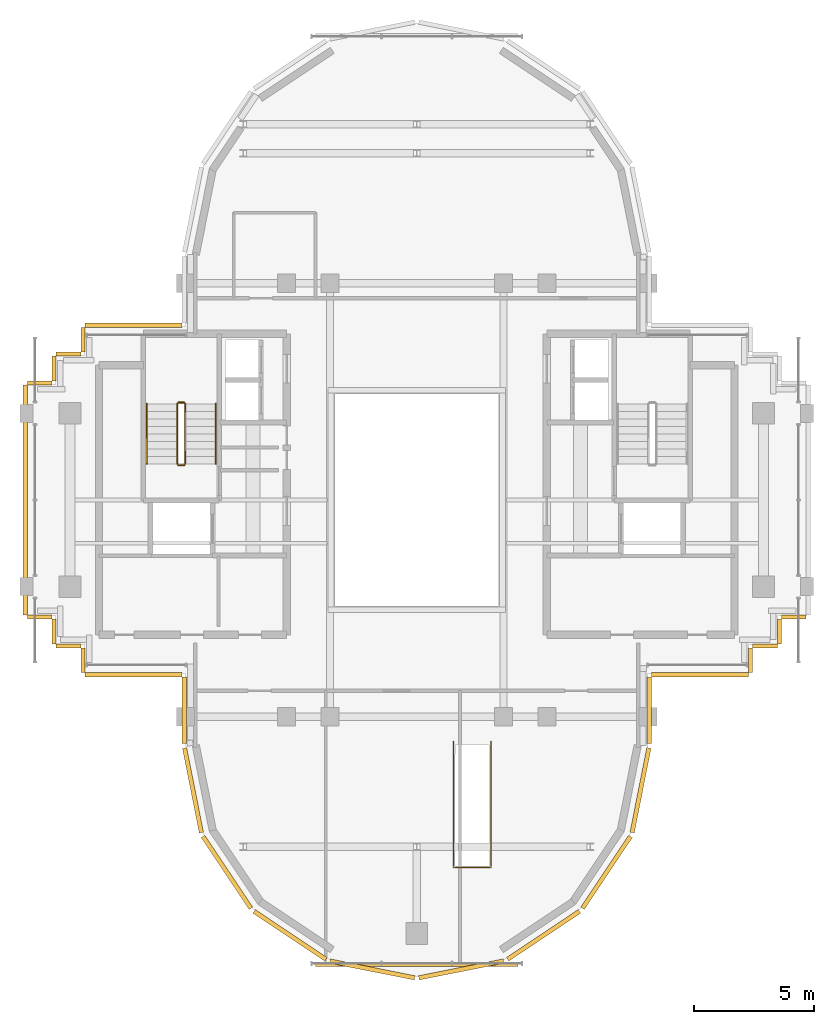
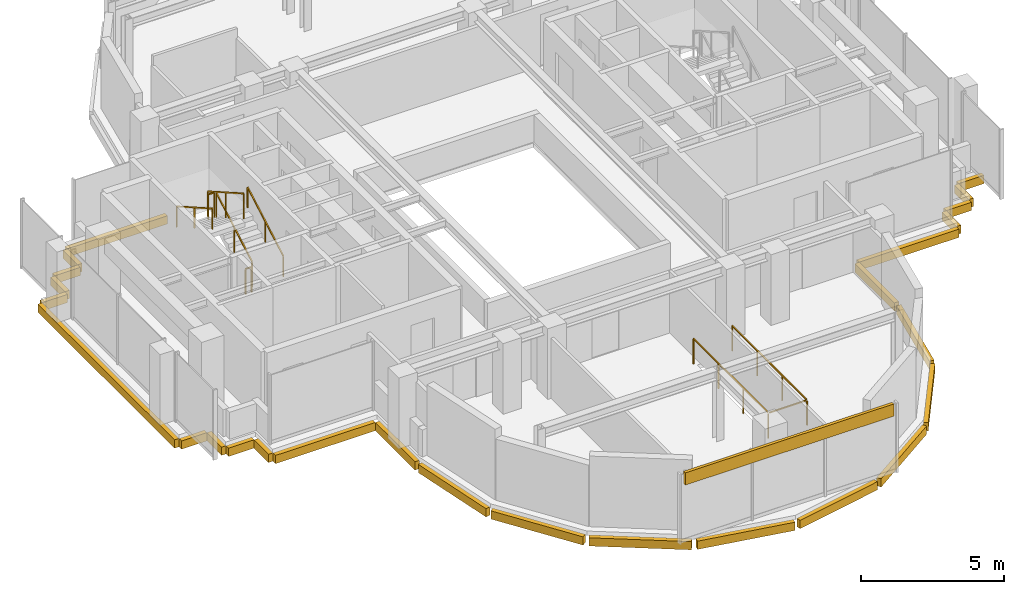
# One storey, part 10 of 11: 27 coverings, 7 railings.
"""IFC4 building model written with IfcOpenShell, lengths in metres."""

from ifc_helpers import new_model, si_unit, direction, frame, origin, origin_2d, place, context, subcontext, project, spatial, rectangle, extrude, source, transform, mapped, material, layer, layer_set, type_object, element, save


model = new_model("IFC4")

# Units and contexts
model_context = context("Model", 3, precision=1e-05, world=origin(), true_north=direction((0.0, 1.0)))
body_context = subcontext(model_context, "Body", "Model", "MODEL_VIEW")
ifc_project = project(units=[si_unit("LENGTHUNIT", "METRE"), si_unit("AREAUNIT", "SQUARE_METRE"), si_unit("VOLUMEUNIT", "CUBIC_METRE"), si_unit("PLANEANGLEUNIT", "RADIAN"), si_unit("MASSUNIT", "GRAM", prefix="KILO")], contexts=[model_context])

# Site, building, storey
site_placement = place(None, origin())
site = spatial("IfcSite", under=ifc_project, at=site_placement, CompositionType="ELEMENT")
building_placement = place(site_placement, origin())
building = spatial("IfcBuilding", under=site, at=building_placement, Name="Keilestroom Media Tower", CompositionType="ELEMENT")
storey_placement = place(building_placement, frame((0.0, 0.0, 255.60009765625)))
storey = spatial("IfcBuildingStorey", under=building, at=storey_placement, Name="L71", CompositionType="ELEMENT", Elevation=255.60009765625)

# Railings
ifc_material_1 = material(Name="Brushed Stainless Steel 1.4301", Category="steel")
railing_type_1 = type_object("IfcRailingType", Name="Stair-Pitch-Handrail-920", PredefinedType="HANDRAIL", material=ifc_material_1)
railing_1_placement = place(storey_placement, frame((-8.35009765625, 1.5, 0.177734375)))
element("IfcRailing", 1, at=railing_1_placement, inside=storey, type_object=railing_type_1, Name="L71 ST-1 stair handrail 1", PredefinedType="HANDRAIL", context=body_context, shape_type="SweptSolid", body=[
    extrude(rectangle(XDim=0.048095703125, YDim=0.048095703125, at=origin_2d()), frame((0.0, 0.0, 0.8759765625), z_axis=(0.0, 0.868875238982, 0.495031129408), x_axis=(-1.0, 0.0, 0.0)), (0.0, 0.0, 1.0), 2.872802734375),
    extrude(rectangle(XDim=0.0419921875, YDim=0.0419921875, at=origin_2d()), origin(), (0.0, 0.0, 1.0), 0.84375),
    extrude(rectangle(XDim=0.0419921875, YDim=0.0419921875, at=origin_2d()), frame((0.0, 1.248046875, 0.7109375)), (0.0, 0.0, 1.0), 0.84375),
    extrude(rectangle(XDim=0.0419921875, YDim=0.0419921875, at=origin_2d()), frame((0.0, 2.49609375, 1.422119140625)), (0.0, 0.0, 1.0), 0.84375),
])
railing_2_placement = place(storey_placement, frame((-11.2099609375, 3.99609375, 1.777587890625)))
element("IfcRailing", 2, at=railing_2_placement, inside=storey, type_object=railing_type_1, Name="L71 ST-1 stair handrail 2", PredefinedType="HANDRAIL", context=body_context, shape_type="SweptSolid", body=[
    extrude(rectangle(XDim=0.048095703125, YDim=0.048095703125, at=origin_2d()), frame((0.0, 0.0, 0.8759765625), z_axis=(0.0, -0.868838684858, 0.495095283449), x_axis=(1.0, 0.0, 0.0)), (0.0, 0.0, 1.0), 2.872802734375),
    extrude(rectangle(XDim=0.0419921875, YDim=0.0419921875, at=origin_2d()), origin(), (0.0, 0.0, 1.0), 0.84375),
    extrude(rectangle(XDim=0.0419921875, YDim=0.0419921875, at=origin_2d()), frame((0.0, -1.248046875, 0.711181640625)), (0.0, 0.0, 1.0), 0.84375),
    extrude(rectangle(XDim=0.0419921875, YDim=0.0419921875, at=origin_2d()), frame((0.0, -2.49609375, 1.42236328125)), (0.0, 0.0, 1.0), 0.84375),
])
ifc_material_2 = material(Name="Painted Steel Balustrade", Category="steel")
railing_type_2 = type_object("IfcRailingType", Name="Stair-Well-And-Landing-Guard-1100", PredefinedType="GUARDRAIL", material=ifc_material_2)
railing_3_placement = place(storey_placement, frame((-9.610107421875, 1.5, 0.177734375)))
element("IfcRailing", 3, at=railing_3_placement, inside=storey, type_object=railing_type_2, Name="L71 ST-1 stair guard 1", PredefinedType="GUARDRAIL", context=body_context, shape_type="SweptSolid", body=[
    extrude(rectangle(XDim=0.048095703125, YDim=0.048095703125, at=origin_2d()), frame((0.0, 0.0, 1.076171875), z_axis=(0.0, 0.868875238982, 0.495031129408), x_axis=(-1.0, 0.0, 0.0)), (0.0, 0.0, 1.0), 2.872802734375),
    extrude(rectangle(XDim=0.0419921875, YDim=0.0419921875, at=origin_2d()), origin(), (0.0, 0.0, 1.0), 1.0439453125),
    extrude(rectangle(XDim=0.0419921875, YDim=0.0419921875, at=origin_2d()), frame((0.0, 1.248046875, 0.7109375)), (0.0, 0.0, 1.0), 1.0439453125),
    extrude(rectangle(XDim=0.0419921875, YDim=0.0419921875, at=origin_2d()), frame((0.0, 2.49609375, 1.422119140625)), (0.0, 0.0, 1.0), 1.0439453125),
])
railing_4_placement = place(storey_placement, frame((-9.659912109375, 4.0458984375, 1.599853515625)))
element("IfcRailing", 4, at=railing_4_placement, inside=storey, type_object=railing_type_2, Name="L71 ST-1 stair guard 2", PredefinedType="GUARDRAIL", context=body_context, shape_type="SweptSolid", body=[
    extrude(rectangle(XDim=0.048095703125, YDim=0.048095703125, at=origin_2d()), frame((0.0, 0.0, 1.076171875), z_axis=(-1.0, 0.0, 0.0), x_axis=(0.0, -1.0, 0.0)), (0.0, 0.0, 1.0), 0.239990234375),
    extrude(rectangle(XDim=0.0419921875, YDim=0.0419921875, at=origin_2d()), origin(), (0.0, 0.0, 1.0), 1.0439453125),
    extrude(rectangle(XDim=0.0419921875, YDim=0.0419921875, at=origin_2d()), frame((-0.239990234375, 0.0, 0.0)), (0.0, 0.0, 1.0), 1.0439453125),
])
railing_5_placement = place(storey_placement, frame((-9.949951171875, 3.99609375, 1.777587890625)))
element("IfcRailing", 5, at=railing_5_placement, inside=storey, type_object=railing_type_2, Name="L71 ST-1 stair guard 3", PredefinedType="GUARDRAIL", context=body_context, shape_type="SweptSolid", body=[
    extrude(rectangle(XDim=0.048095703125, YDim=0.048095703125, at=origin_2d()), frame((0.0, 0.0, 1.076171875), z_axis=(0.0, -0.868838684858, 0.495095283449), x_axis=(1.0, 0.0, 0.0)), (0.0, 0.0, 1.0), 2.872802734375),
    extrude(rectangle(XDim=0.0419921875, YDim=0.0419921875, at=origin_2d()), origin(), (0.0, 0.0, 1.0), 1.0439453125),
    extrude(rectangle(XDim=0.0419921875, YDim=0.0419921875, at=origin_2d()), frame((0.0, -1.248046875, 0.711181640625)), (0.0, 0.0, 1.0), 1.0439453125),
    extrude(rectangle(XDim=0.0419921875, YDim=0.0419921875, at=origin_2d()), frame((0.0, -2.49609375, 1.42236328125)), (0.0, 0.0, 1.0), 1.0439453125),
])
railing_6_placement = place(storey_placement, frame((-9.659912109375, 1.449951171875, 0.0)))
element("IfcRailing", 6, at=railing_6_placement, inside=storey, type_object=railing_type_2, Name="L71 ST-1 stair guard 4", PredefinedType="GUARDRAIL", context=body_context, shape_type="SweptSolid", body=[
    extrude(rectangle(XDim=0.048095703125, YDim=0.048095703125, at=origin_2d()), frame((0.0, 0.0, 1.076171875), z_axis=(-1.0, 0.0, 0.0), x_axis=(0.0, -1.0, 0.0)), (0.0, 0.0, 1.0), 0.239990234375),
    extrude(rectangle(XDim=0.0419921875, YDim=0.0419921875, at=origin_2d()), origin(), (0.0, 0.0, 1.0), 1.0439453125),
    extrude(rectangle(XDim=0.0419921875, YDim=0.0419921875, at=origin_2d()), frame((-0.239990234375, 0.0, 0.0)), (0.0, 0.0, 1.0), 1.0439453125),
])
railing_7_placement = place(storey_placement, frame((1.52001953125, -10.034912109375, 0.0)))
element("IfcRailing", 7, at=railing_7_placement, inside=storey, type_object=railing_type_2, Name="ST-F4 Top Well Guard", PredefinedType="GUARDRAIL", context=body_context, shape_type="SweptSolid", body=[
    extrude(rectangle(XDim=0.048095703125, YDim=0.048095703125, at=origin_2d()), frame((0.0, 0.0, 1.076171875), z_axis=(0.0, -1.0, 0.0), x_axis=(1.0, 0.0, 0.0)), (0.0, 0.0, 1.0), 5.177001953125),
    extrude(rectangle(XDim=0.048095703125, YDim=0.048095703125, at=origin_2d()), frame((0.048095703125, -5.22509765625, 1.076171875), z_axis=(1.0, 0.0, 0.0), x_axis=(0.0, 1.0, 0.0)), (0.0, 0.0, 1.0), 1.4638671875),
    extrude(rectangle(XDim=0.048095703125, YDim=0.048095703125, at=origin_2d()), frame((1.56005859375, -5.177001953125, 1.076171875), z_axis=(0.0, 1.0, 0.0), x_axis=(-1.0, 0.0, 0.0)), (0.0, 0.0, 1.0), 5.177001953125),
    extrude(rectangle(XDim=0.0419921875, YDim=0.0419921875, at=origin_2d()), origin(), (0.0, 0.0, 1.0), 1.0439453125),
    extrude(rectangle(XDim=0.0419921875, YDim=0.0419921875, at=origin_2d()), frame((0.0, -1.74169921875, 0.0)), (0.0, 0.0, 1.0), 1.0439453125),
    extrude(rectangle(XDim=0.0419921875, YDim=0.0419921875, at=origin_2d()), frame((0.0, -3.4833984375, 0.0)), (0.0, 0.0, 1.0), 1.0439453125),
    extrude(rectangle(XDim=0.0419921875, YDim=0.0419921875, at=origin_2d()), frame((0.0, -5.22509765625, 0.0)), (0.0, 0.0, 1.0), 1.0439453125),
    extrude(rectangle(XDim=0.0419921875, YDim=0.0419921875, at=origin_2d()), frame((1.56005859375, -5.22509765625, 0.0)), (0.0, 0.0, 1.0), 1.0439453125),
    extrude(rectangle(XDim=0.0419921875, YDim=0.0419921875, at=origin_2d()), frame((1.56005859375, -3.4833984375, 0.0)), (0.0, 0.0, 1.0), 1.0439453125),
    extrude(rectangle(XDim=0.0419921875, YDim=0.0419921875, at=origin_2d()), frame((1.56005859375, -1.74169921875, 0.0)), (0.0, 0.0, 1.0), 1.0439453125),
    extrude(rectangle(XDim=0.0419921875, YDim=0.0419921875, at=origin_2d()), frame((1.56005859375, 0.0, 0.0)), (0.0, 0.0, 1.0), 1.0439453125),
])

# Coverings
ifc_material_3 = material(Name="Precast concrete C40/50", Category="concrete")
ifc_layer = layer(ifc_material_3, 0.1201171875)
ifc_layer_set = layer_set([ifc_layer], Name="Precast concrete C40/50")
covering_type = type_object("IfcCoveringType", Name="Exterior-Precast-Spandrel-Cladding-Panel-120", PredefinedType="CLADDING", material=ifc_layer_set)
shared_shape_1 = source(origin(), body_context, "Body", "SweptSolid", [
    extrude(rectangle(XDim=8.39990234375, YDim=0.1201171875, at=origin_2d()), origin(), (0.0, 0.0, 1.0), 0.52001953125),
])
covering_1_placement = place(storey_placement, frame((0.0, -19.320068359375, 2.5), z_axis=(0.0, 0.0, 1.0), x_axis=(1.0, 0.0, 0.0)))
element("IfcCovering", 8, at=covering_1_placement, inside=storey, type_object=covering_type, Name="L71 Precast Spandrel Cladding S", PredefinedType="CLADDING", context=body_context, shape_type="MappedRepresentation", body=[
    mapped(shared_shape_1, transform((0.0, 0.0, 0.0), x_axis=(1.0, 0.0, 0.0), y_axis=(0.0, 1.0, 0.0), z_axis=(0.0, 0.0, 1.0), scale=1.0)),
])
shared_shape_2 = source(origin(), body_context, "Body", "SweptSolid", [
    extrude(rectangle(XDim=1.02001953125, YDim=0.179931640625, at=origin_2d()), origin(), (0.0, 0.0, 1.0), 0.35009765625),
])
for number, where, z_axis, x_axis, name in (
    (9, (15.659912109375, -4.860107421875, -0.530029296875), (0.0, 0.0, 1.0), (-1.0, 0.0, 0.0), "L71 Precast Slab-Edge Fascia Cornice 01"),
    (10, (15.06005859375, -5.4599609375, -0.530029296875), (0.0, 0.0, 1.0), (0.0, -1.0, 0.0), "L71 Precast Slab-Edge Fascia Cornice 02"),
    (11, (14.4599609375, -6.06005859375, -0.530029296875), (0.0, 0.0, 1.0), (-1.0, 0.0, 0.0), "L71 Precast Slab-Edge Fascia Cornice 03"),
    (12, (13.860107421875, -6.659912109375, -0.530029296875), (0.0, 0.0, 1.0), (0.0, -1.0, 0.0), "L71 Precast Slab-Edge Fascia Cornice 04"),
    (13, (-13.860107421875, -6.659912109375, -0.530029296875), (0.0, 0.0, 1.0), (0.0, 1.0, 0.0), "L71 Precast Slab-Edge Fascia Cornice 17"),
    (14, (-14.4599609375, -6.06005859375, -0.530029296875), (0.0, 0.0, 1.0), (-1.0, 0.0, 0.0), "L71 Precast Slab-Edge Fascia Cornice 18"),
    (15, (-15.06005859375, -5.4599609375, -0.530029296875), (0.0, 0.0, 1.0), (0.0, 1.0, 0.0), "L71 Precast Slab-Edge Fascia Cornice 19"),
    (16, (-15.659912109375, -4.860107421875, -0.530029296875), (0.0, 0.0, 1.0), (-1.0, 0.0, 0.0), "L71 Precast Slab-Edge Fascia Cornice 20"),
    (17, (-15.659912109375, 4.860107421875, -0.530029296875), (0.0, 0.0, 1.0), (1.0, 0.0, 0.0), "L71 Precast Slab-Edge Fascia Cornice 22"),
    (18, (-15.06005859375, 5.4599609375, -0.530029296875), (0.0, 0.0, 1.0), (0.0, 1.0, 0.0), "L71 Precast Slab-Edge Fascia Cornice 23"),
    (19, (-14.4599609375, 6.06005859375, -0.530029296875), (0.0, 0.0, 1.0), (1.0, 0.0, 0.0), "L71 Precast Slab-Edge Fascia Cornice 24"),
    (20, (-13.860107421875, 6.659912109375, -0.530029296875), (0.0, 0.0, 1.0), (0.0, 1.0, 0.0), "L71 Precast Slab-Edge Fascia Cornice 25"),
):
    element("IfcCovering", number, at=place(storey_placement, frame(where, z_axis=z_axis, x_axis=x_axis)), inside=storey, type_object=covering_type, Name=name, PredefinedType="CLADDING", context=body_context, shape_type="MappedRepresentation", body=[
        mapped(shared_shape_2, transform((0.0, 0.0, 0.0), x_axis=(1.0, 0.0, 0.0), y_axis=(0.0, 1.0, 0.0), z_axis=(0.0, 0.0, 1.0), scale=1.0)),
    ])
shared_shape_3 = source(origin(), body_context, "Body", "SweptSolid", [
    extrude(rectangle(XDim=2.765869140625, YDim=0.179931640625, at=origin_2d()), origin(), (0.0, 0.0, 1.0), 0.35009765625),
])
for number, where, z_axis, x_axis, name in (
    (21, (9.659912109375, -8.73291015625, -0.530029296875), (0.0, 0.0, 1.0), (0.0, -1.0, 0.0), "L71 Precast Slab-Edge Fascia Cornice 06"),
    (22, (-9.659912109375, -8.73291015625, -0.530029296875), (0.0, 0.0, 1.0), (0.0, 1.0, 0.0), "L71 Precast Slab-Edge Fascia Cornice 15"),
):
    element("IfcCovering", number, at=place(storey_placement, frame(where, z_axis=z_axis, x_axis=x_axis)), inside=storey, type_object=covering_type, Name=name, PredefinedType="CLADDING", context=body_context, shape_type="MappedRepresentation", body=[
        mapped(shared_shape_3, transform((0.0, 0.0, 0.0), x_axis=(1.0, 0.0, 0.0), y_axis=(0.0, 1.0, 0.0), z_axis=(0.0, 0.0, 1.0), scale=1.0)),
    ])
shared_shape_4 = source(origin(), body_context, "Body", "SweptSolid", [
    extrude(rectangle(XDim=3.58349609375, YDim=0.179931640625, at=origin_2d()), origin(), (0.0, 0.0, 1.0), 0.35009765625),
])
for number, where, z_axis, x_axis, name in (
    (23, (9.29296875, -12.051513671875, -0.530029296875), (0.0, 0.0, 1.0), (-0.195098880975, -0.980783577882, 0.0), "L71 Precast Slab-Edge Fascia Cornice 07"),
    (24, (-9.29296875, -12.051513671875, -0.530029296875), (0.0, 0.0, 1.0), (-0.195098880975, 0.980783577882, 0.0), "L71 Precast Slab-Edge Fascia Cornice 14"),
):
    element("IfcCovering", number, at=place(storey_placement, frame(where, z_axis=z_axis, x_axis=x_axis)), inside=storey, type_object=covering_type, Name=name, PredefinedType="CLADDING", context=body_context, shape_type="MappedRepresentation", body=[
        mapped(shared_shape_4, transform((0.0, 0.0, 0.0), x_axis=(1.0, 0.0, 0.0), y_axis=(0.0, 1.0, 0.0), z_axis=(0.0, 0.0, 1.0), scale=1.0)),
    ])
shared_shape_5 = source(origin(), body_context, "Body", "SweptSolid", [
    extrude(rectangle(XDim=3.589599609375, YDim=0.179931640625, at=origin_2d()), origin(), (0.0, 0.0, 1.0), 0.35009765625),
])
for number, where, z_axis, x_axis, name in (
    (25, (7.878662109375, -15.46435546875, -0.530029296875), (0.0, 0.0, 1.0), (-0.555574586577, -0.831466703332, 0.0), "L71 Precast Slab-Edge Fascia Cornice 08"),
    (26, (5.264404296875, -18.07861328125, -0.530029296875), (0.0, 0.0, 1.0), (-0.831466703332, -0.555574586577, 0.0), "L71 Precast Slab-Edge Fascia Cornice 09"),
    (27, (1.8486328125, -19.493408203125, -0.530029296875), (0.0, 0.0, 1.0), (-0.980783577882, -0.195098880975, 0.0), "L71 Precast Slab-Edge Fascia Cornice 10"),
    (28, (-1.8486328125, -19.493408203125, -0.530029296875), (0.0, 0.0, 1.0), (-0.980783577882, 0.195098880975, 0.0), "L71 Precast Slab-Edge Fascia Cornice 11"),
    (29, (-5.264404296875, -18.07861328125, -0.530029296875), (0.0, 0.0, 1.0), (-0.831466703332, 0.555574586577, 0.0), "L71 Precast Slab-Edge Fascia Cornice 12"),
    (30, (-7.878662109375, -15.46435546875, -0.530029296875), (0.0, 0.0, 1.0), (-0.555574586577, 0.831466703332, 0.0), "L71 Precast Slab-Edge Fascia Cornice 13"),
):
    element("IfcCovering", number, at=place(storey_placement, frame(where, z_axis=z_axis, x_axis=x_axis)), inside=storey, type_object=covering_type, Name=name, PredefinedType="CLADDING", context=body_context, shape_type="MappedRepresentation", body=[
        mapped(shared_shape_5, transform((0.0, 0.0, 0.0), x_axis=(1.0, 0.0, 0.0), y_axis=(0.0, 1.0, 0.0), z_axis=(0.0, 0.0, 1.0), scale=1.0)),
    ])
shared_shape_6 = source(origin(), body_context, "Body", "SweptSolid", [
    extrude(rectangle(XDim=9.5400390625, YDim=0.179931640625, at=origin_2d()), origin(), (0.0, 0.0, 1.0), 0.35009765625),
])
covering_2_placement = place(storey_placement, frame((-16.260009765625, 0.0, -0.530029296875), z_axis=(0.0, 0.0, 1.0), x_axis=(0.0, 1.0, 0.0)))
element("IfcCovering", 31, at=covering_2_placement, inside=storey, type_object=covering_type, Name="L71 Precast Slab-Edge Fascia Cornice 21", PredefinedType="CLADDING", context=body_context, shape_type="MappedRepresentation", body=[
    mapped(shared_shape_6, transform((0.0, 0.0, 0.0), x_axis=(1.0, 0.0, 0.0), y_axis=(0.0, 1.0, 0.0), z_axis=(0.0, 0.0, 1.0), scale=1.0)),
])
shared_shape_7 = source(origin(), body_context, "Body", "SweptSolid", [
    extrude(rectangle(XDim=4.02001953125, YDim=0.179931640625, at=origin_2d()), origin(), (0.0, 0.0, 1.0), 0.35009765625),
])
for number, where, z_axis, x_axis, name in (
    (32, (11.760009765625, -7.260009765625, -0.530029296875), (0.0, 0.0, 1.0), (-1.0, 0.0, 0.0), "L71 Precast Slab-Edge Fascia Cornice 05"),
    (33, (-11.760009765625, -7.260009765625, -0.530029296875), (0.0, 0.0, 1.0), (-1.0, 0.0, 0.0), "L71 Precast Slab-Edge Fascia Cornice 16"),
    (34, (-11.760009765625, 7.260009765625, -0.530029296875), (0.0, 0.0, 1.0), (1.0, 0.0, 0.0), "L71 Precast Slab-Edge Fascia Cornice 26"),
):
    element("IfcCovering", number, at=place(storey_placement, frame(where, z_axis=z_axis, x_axis=x_axis)), inside=storey, type_object=covering_type, Name=name, PredefinedType="CLADDING", context=body_context, shape_type="MappedRepresentation", body=[
        mapped(shared_shape_7, transform((0.0, 0.0, 0.0), x_axis=(1.0, 0.0, 0.0), y_axis=(0.0, 1.0, 0.0), z_axis=(0.0, 0.0, 1.0), scale=1.0)),
    ])

save(model, "model.ifc")
